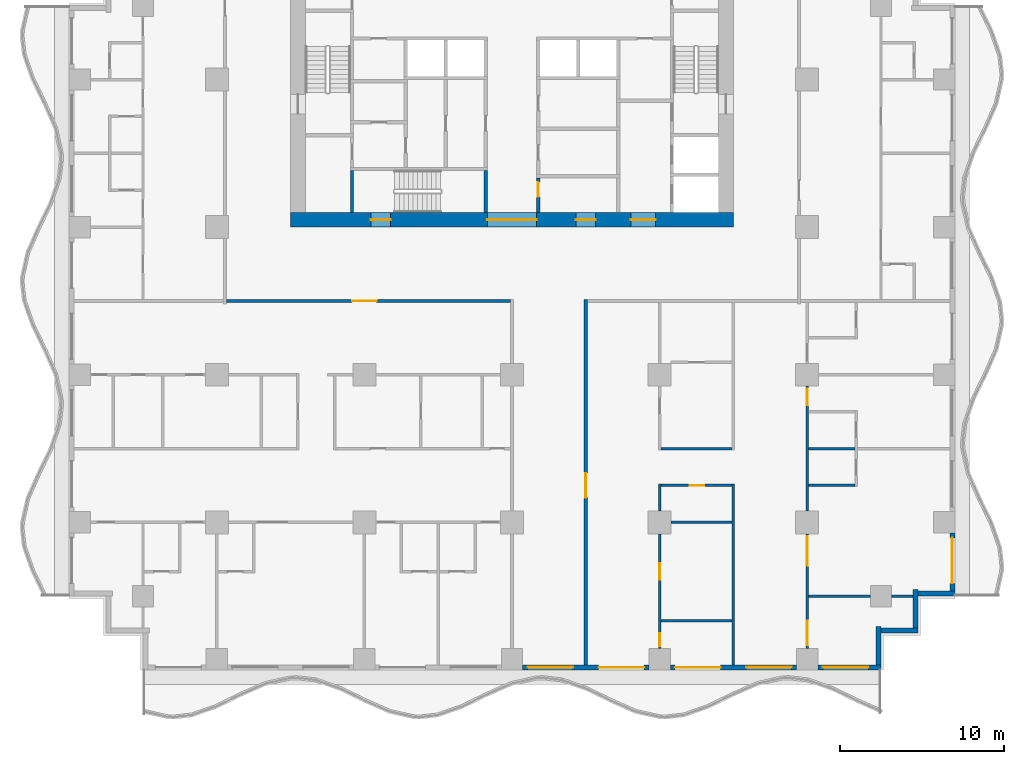
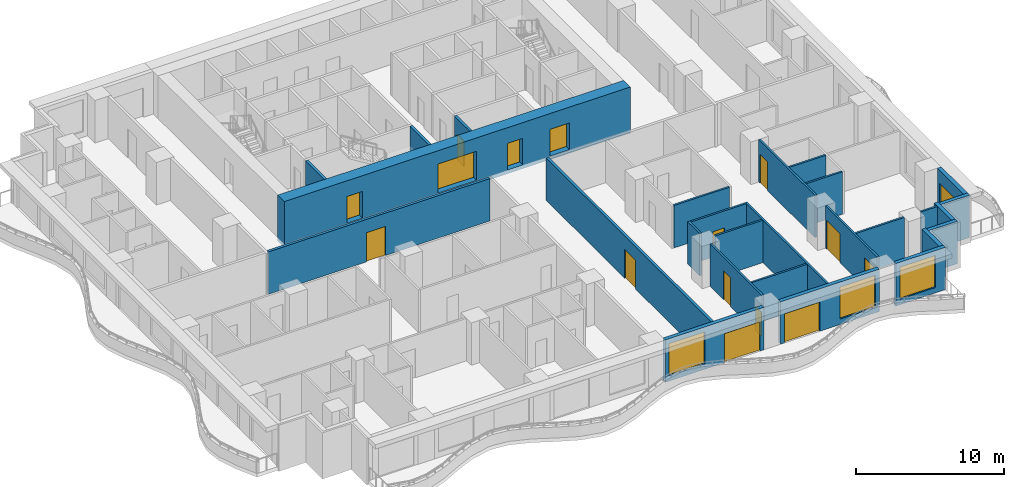
# One storey, part 3 of 14: 27 walls, 16 doors, 3 windows, 19 openings.
"""IFC4 building model written with IfcOpenShell, lengths in metres."""

from ifc_helpers import new_model, si_unit, direction, frame, frame_2d, origin, place, context, subcontext, project, spatial, rectangle, extrude, material, layer, layer_set, type_object, element, fill, save


model = new_model("IFC4")

# Units and contexts
model_context = context("Model", 3, precision=1e-05, world=origin(), true_north=direction((0.0, 1.0)))
body_context = subcontext(model_context, "Body", "Model", "MODEL_VIEW")
ifc_project = project(units=[si_unit("LENGTHUNIT", "METRE"), si_unit("AREAUNIT", "SQUARE_METRE"), si_unit("VOLUMEUNIT", "CUBIC_METRE"), si_unit("PLANEANGLEUNIT", "RADIAN"), si_unit("MASSUNIT", "GRAM", prefix="KILO")], contexts=[model_context])

# Site, building, storey
site_placement = place(None, origin())
site = spatial("IfcSite", under=ifc_project, at=site_placement, CompositionType="ELEMENT")
building_placement = place(site_placement, origin())
building = spatial("IfcBuilding", under=site, at=building_placement, Name="Orbiselva Terraces", CompositionType="ELEMENT")
storey_placement = place(building_placement, frame((0.0, 0.0, 80.8)))
storey = spatial("IfcBuildingStorey", under=building, at=storey_placement, Name="L20", CompositionType="ELEMENT", Elevation=80.8)

# Wall, openings, doors
ifc_material_1 = material(Name="Concrete C80/95", Category="concrete")
ifc_layer_1 = layer(ifc_material_1, 0.9)
ifc_layer_set_1 = layer_set([ifc_layer_1], Name="Concrete C80/95")
wall_type_1 = type_object("IfcWallType", Name="CORE WALL 900", PredefinedType="SHEAR", material=ifc_layer_set_1)
wall_1_placement = place(storey_placement, frame((-13.5, 4.95, -0.3), z_axis=(0.0, 0.0, 1.0), x_axis=(1.0, 0.0, 0.0)))
wall_1 = element("IfcWall", 1, at=wall_1_placement, inside=storey, type_object=wall_type_1, Name="Core wall L20 south", PredefinedType="SHEAR", context=body_context, shape_type="SweptSolid", body=[
    extrude(rectangle(XDim=27.0, YDim=0.9, at=frame_2d((13.5, 0.0))), origin(), (0.0, 0.0, 1.0), 3.8),
])
opening_1_placement = place(wall_1_placement, frame((12.0, 0.0, 0.3)))
opening_1 = element("IfcOpeningElement", 2, at=opening_1_placement, cuts=wall_1, Name="Opening DL3000", PredefinedType="OPENING", context=body_context, shape_type="SweptSolid", body=[
    extrude(rectangle(XDim=3.0, YDim=2.4, at=frame_2d((1.5, 1.2))), frame((0.0, 0.46, 0.0), z_axis=(0.0, -1.0, 0.0), x_axis=(1.0, 0.0, 0.0)), (0.0, 0.0, 1.0), 0.92),
])
opening_2_placement = place(wall_1_placement, frame((4.9, 0.0, 0.3)))
opening_2 = element("IfcOpeningElement", 3, at=opening_2_placement, cuts=wall_1, Name="Opening DS1200", PredefinedType="OPENING", context=body_context, shape_type="SweptSolid", body=[
    extrude(rectangle(XDim=1.2, YDim=2.2, at=frame_2d((0.6, 1.1))), frame((0.0, 0.46, 0.0), z_axis=(0.0, -1.0, 0.0), x_axis=(1.0, 0.0, 0.0)), (0.0, 0.0, 1.0), 0.92),
])
opening_3_placement = place(wall_1_placement, frame((20.75, 0.0, 0.3)))
opening_3 = element("IfcOpeningElement", 4, at=opening_3_placement, cuts=wall_1, Name="Opening DF1500", PredefinedType="OPENING", context=body_context, shape_type="SweptSolid", body=[
    extrude(rectangle(XDim=1.5, YDim=2.2, at=frame_2d((0.75, 1.1))), frame((0.0, 0.46, 0.0), z_axis=(0.0, -1.0, 0.0), x_axis=(1.0, 0.0, 0.0)), (0.0, 0.0, 1.0), 0.92),
])
opening_4_placement = place(wall_1_placement, frame((17.4, 0.0, 0.3)))
opening_4 = element("IfcOpeningElement", 5, at=opening_4_placement, cuts=wall_1, Name="Opening DV1200", PredefinedType="OPENING", context=body_context, shape_type="SweptSolid", body=[
    extrude(rectangle(XDim=1.2, YDim=2.2, at=frame_2d((0.6, 1.1))), frame((0.0, 0.46, 0.0), z_axis=(0.0, -1.0, 0.0), x_axis=(1.0, 0.0, 0.0)), (0.0, 0.0, 1.0), 0.92),
])
ifc_material_2 = material(Name="Steel fire door", Category="steel")
door_type_1 = type_object("IfcDoorType", Name="FFL DOOR 1500", OperationType="DOUBLE_DOOR_SINGLE_SWING", PredefinedType="DOOR", material=ifc_material_2)
door_1_placement = place(opening_3_placement, frame((1.5, 0.0, 0.0), z_axis=(0.0, 0.0, 1.0), x_axis=(-1.0, 0.0, 0.0)))
door_1 = element("IfcDoor", 6, at=door_1_placement, inside=storey, type_object=door_type_1, Name="L20 FIRE-FIGHTING LOBBY door", OperationType="DOUBLE_DOOR_SINGLE_SWING", OverallHeight=2.2, OverallWidth=1.5, PredefinedType="DOOR", context=body_context, shape_type="SweptSolid", body=[
    extrude(rectangle(XDim=1.5, YDim=2.2, at=frame_2d((0.75, 1.1))), frame((0.0, 0.025, 0.0), z_axis=(0.0, -1.0, 0.0), x_axis=(1.0, 0.0, 0.0)), (0.0, 0.0, 1.0), 0.05),
])
fill(opening_3, door_1)
door_type_2 = type_object("IfcDoorType", Name="LOBBY DOOR 3000", OperationType="DOUBLE_DOOR_SINGLE_SWING", PredefinedType="DOOR", material=ifc_material_2)
door_2_placement = place(opening_1_placement, frame((3.0, 0.0, 0.0), z_axis=(0.0, 0.0, 1.0), x_axis=(-1.0, 0.0, 0.0)))
door_2 = element("IfcDoor", 7, at=door_2_placement, inside=storey, type_object=door_type_2, Name="L20 LIFT LOBBY door", OperationType="DOUBLE_DOOR_SINGLE_SWING", OverallHeight=2.4, OverallWidth=3.0, PredefinedType="DOOR", context=body_context, shape_type="SweptSolid", body=[
    extrude(rectangle(XDim=3.0, YDim=2.4, at=frame_2d((1.5, 1.2))), frame((0.0, 0.025, 0.0), z_axis=(0.0, -1.0, 0.0), x_axis=(1.0, 0.0, 0.0)), (0.0, 0.0, 1.0), 0.05),
])
fill(opening_1, door_2)
door_type_3 = type_object("IfcDoorType", Name="SERVICE DOOR 1200", OperationType="NOTDEFINED", PredefinedType="DOOR", material=ifc_material_2)
door_3_placement = place(opening_4_placement, frame((1.2, 0.0, 0.0), z_axis=(0.0, 0.0, 1.0), x_axis=(-1.0, 0.0, 0.0)))
door_3 = element("IfcDoor", 8, at=door_3_placement, inside=storey, type_object=door_type_3, Name="L20 ELECTRICAL RISER ROOM door", OperationType="SINGLE_SWING_RIGHT", OverallHeight=2.2, OverallWidth=1.2, PredefinedType="DOOR", context=body_context, shape_type="SweptSolid", body=[
    extrude(rectangle(XDim=1.2, YDim=2.2, at=frame_2d((0.6, 1.1))), frame((0.0, 0.025, 0.0), z_axis=(0.0, -1.0, 0.0), x_axis=(1.0, 0.0, 0.0)), (0.0, 0.0, 1.0), 0.05),
])
fill(opening_4, door_3)
door_type_4 = type_object("IfcDoorType", Name="STAIR DOOR 1200", OperationType="NOTDEFINED", PredefinedType="DOOR", material=ifc_material_2)
door_4_placement = place(opening_2_placement, frame((1.2, 0.0, 0.0), z_axis=(0.0, 0.0, 1.0), x_axis=(-1.0, 0.0, 0.0)))
door_4 = element("IfcDoor", 9, at=door_4_placement, inside=storey, type_object=door_type_4, Name="L20 EXIT STAIR S3 door", OperationType="SINGLE_SWING_LEFT", OverallHeight=2.2, OverallWidth=1.2, PredefinedType="DOOR", context=body_context, shape_type="SweptSolid", body=[
    extrude(rectangle(XDim=1.2, YDim=2.2, at=frame_2d((0.6, 1.1))), frame((0.0, 0.025, 0.0), z_axis=(0.0, -1.0, 0.0), x_axis=(1.0, 0.0, 0.0)), (0.0, 0.0, 1.0), 0.05),
])
fill(opening_2, door_4)

# Wall, opening, door
ifc_material_3 = material(Name="Masonry blockwork", Category="masonry")
ifc_layer_2 = layer(ifc_material_3, 0.2)
ifc_layer_set_2 = layer_set([ifc_layer_2], Name="Masonry blockwork")
wall_type_2 = type_object("IfcWallType", Name="CORE-WALL-PARTITION-200", PredefinedType="PARTITIONING", material=ifc_layer_set_2)
wall_2_placement = place(storey_placement, frame((1.6, 7.5, 0.0), z_axis=(0.0, 0.0, 1.0), x_axis=(0.0, -1.0, 0.0)))
wall_2 = element("IfcWall", 10, at=wall_2_placement, inside=storey, type_object=wall_type_2, Name="L20 core wall 29", PredefinedType="PARTITIONING", context=body_context, shape_type="SweptSolid", body=[
    extrude(rectangle(XDim=2.1, YDim=0.2, at=frame_2d((1.05, 0.0))), origin(), (0.0, 0.0, 1.0), 3.5),
])
opening_5_placement = place(wall_2_placement, frame((0.25, 0.0, 0.0)))
opening_5 = element("IfcOpeningElement", 11, at=opening_5_placement, cuts=wall_2, Name="Opening DR900", PredefinedType="OPENING", context=body_context, shape_type="SweptSolid", body=[
    extrude(rectangle(XDim=0.9, YDim=2.1, at=frame_2d((0.45, 1.05))), frame((0.0, 0.11, 0.0), z_axis=(0.0, -1.0, 0.0), x_axis=(1.0, 0.0, 0.0)), (0.0, 0.0, 1.0), 0.22),
])
door_type_5 = type_object("IfcDoorType", Name="ROOM DOOR 900", OperationType="NOTDEFINED", PredefinedType="DOOR", material=ifc_material_2)
door_5_placement = place(opening_5_placement, origin())
door_5 = element("IfcDoor", 12, at=door_5_placement, inside=storey, type_object=door_type_5, Name="L20 ELECTRICAL RISER ROOM door", OperationType="SINGLE_SWING_LEFT", OverallHeight=2.1, OverallWidth=0.9, PredefinedType="DOOR", context=body_context, shape_type="SweptSolid", body=[
    extrude(rectangle(XDim=0.9, YDim=2.1, at=frame_2d((0.45, 1.05))), frame((0.0, 0.025, 0.0), z_axis=(0.0, -1.0, 0.0), x_axis=(1.0, 0.0, 0.0)), (0.0, 0.0, 1.0), 0.05),
])
fill(opening_5, door_5)

# Walls
ifc_material_4 = material(Name="Concrete C60/75", Category="concrete")
ifc_layer_3 = layer(ifc_material_4, 0.2)
ifc_layer_set_3 = layer_set([ifc_layer_3], Name="Concrete C60/75")
wall_type_3 = type_object("IfcWallType", Name="CORE-WALL-SHEAR-200", PredefinedType="SHEAR", material=ifc_layer_set_3)
for number, where, z_axis, x_axis, name in (
    (13, (-9.75, 5.4, 0.0), (0.0, 0.0, 1.0), (0.0, 1.0, 0.0), "L20 core wall 03"),
    (14, (-1.6, 5.4, 0.0), (0.0, 0.0, 1.0), (0.0, 1.0, 0.0), "L20 core wall 25"),
):
    element("IfcWall", number, at=place(storey_placement, frame(where, z_axis=z_axis, x_axis=x_axis)), inside=storey, type_object=wall_type_3, Name=name, PredefinedType="SHEAR", context=body_context, shape_type="SweptSolid", body=[
        extrude(rectangle(XDim=2.55, YDim=0.2, at=frame_2d((1.275, 0.0))), origin(), (0.0, 0.0, 1.0), 3.5),
    ])

# Wall, openings, door, window
ifc_material_5 = material(Name="Terracotta cladding on masonry backing", Category="masonry")
ifc_layer_4 = layer(ifc_material_5, 0.3)
ifc_layer_set_4 = layer_set([ifc_layer_4], Name="Terracotta cladding on masonry backing")
wall_type_4 = type_object("IfcWallType", Name="ENV-WALL-TERRACOTTA-300", PredefinedType="SOLIDWALL", material=ifc_layer_set_4)
wall_3_placement = place(storey_placement, frame((8.35, -22.35, 0.0), z_axis=(0.0, 0.0, 1.0), x_axis=(-1.0, 0.0, 0.0)))
wall_3 = element("IfcWall", 15, at=wall_3_placement, inside=storey, type_object=wall_type_4, Name="Facade wall L20 S", PredefinedType="SOLIDWALL", context=body_context, shape_type="SweptSolid", body=[
    extrude(rectangle(XDim=7.7, YDim=0.3, at=frame_2d((3.85, 0.0))), origin(), (0.0, 0.0, 1.0), 3.5),
])
opening_6_placement = place(wall_3_placement, frame((4.625, 0.0, 0.45)))
opening_6 = element("IfcOpeningElement", 16, at=opening_6_placement, cuts=wall_3, Name="Opening WN6", PredefinedType="OPENING", context=body_context, shape_type="SweptSolid", body=[
    extrude(rectangle(XDim=2.775, YDim=2.65, at=frame_2d((1.3875, 1.325))), frame((0.0, 0.16, 0.0), z_axis=(0.0, -1.0, 0.0), x_axis=(1.0, 0.0, 0.0)), (0.0, 0.0, 1.0), 0.32),
])
opening_7_placement = place(wall_3_placement, frame((0.3, 0.0, 0.0)))
opening_7 = element("IfcOpeningElement", 17, at=opening_7_placement, cuts=wall_3, Name="Opening Z2-B-E03", PredefinedType="OPENING", context=body_context, shape_type="SweptSolid", body=[
    extrude(rectangle(XDim=2.775, YDim=2.4, at=frame_2d((1.3875, 1.2))), frame((0.0, 0.16, 0.0), z_axis=(0.0, -1.0, 0.0), x_axis=(1.0, 0.0, 0.0)), (0.0, 0.0, 1.0), 0.32),
])
ifc_material_6 = material(Name="Clear low-e glazing in aluminium frame", Category="aluminium")
door_type_6 = type_object("IfcDoorType", Name="BALCONY DOOR 2775 X 2400", OperationType="DOUBLE_DOOR_SLIDING", PredefinedType="DOOR", material=ifc_material_6)
door_6_placement = place(opening_7_placement, origin())
door_6 = element("IfcDoor", 18, at=door_6_placement, inside=storey, type_object=door_type_6, Name="Z2-B-E03", OperationType="SINGLE_SWING_LEFT", OverallHeight=2.4, OverallWidth=2.775, PredefinedType="DOOR", context=body_context, shape_type="SweptSolid", body=[
    extrude(rectangle(XDim=2.775, YDim=2.4, at=frame_2d((1.3875, 1.2))), frame((0.0, 0.025, 0.0), z_axis=(0.0, -1.0, 0.0), x_axis=(1.0, 0.0, 0.0)), (0.0, 0.0, 1.0), 0.05),
])
fill(opening_7, door_6)
window_type = type_object("IfcWindowType", Name="WINDOW 2775 X 2650 S450", PartitioningType="TRIPLE_PANEL_VERTICAL", PredefinedType="WINDOW", material=ifc_material_6)
window_1_placement = place(opening_6_placement, origin())
window_1 = element("IfcWindow", 19, at=window_1_placement, inside=storey, type_object=window_type, Name="Window L20 S", OverallHeight=2.65, OverallWidth=2.775, PartitioningType="SINGLE_PANEL", PredefinedType="WINDOW", context=body_context, shape_type="SweptSolid", body=[
    extrude(rectangle(XDim=2.775, YDim=2.65, at=frame_2d((1.3875, 1.325))), frame((0.0, 0.03, 0.0), z_axis=(0.0, -1.0, 0.0), x_axis=(1.0, 0.0, 0.0)), (0.0, 0.0, 1.0), 0.06),
])
fill(opening_6, window_1)

wall_4_placement = place(storey_placement, frame((17.35, -22.35, 0.0), z_axis=(0.0, 0.0, 1.0), x_axis=(-1.0, 0.0, 0.0)))
wall_4 = element("IfcWall", 20, at=wall_4_placement, inside=storey, type_object=wall_type_4, Name="Facade wall L20 S", PredefinedType="SOLIDWALL", context=body_context, shape_type="SweptSolid", body=[
    extrude(rectangle(XDim=7.7, YDim=0.3, at=frame_2d((3.85, 0.0))), origin(), (0.0, 0.0, 1.0), 3.5),
])
opening_8_placement = place(wall_4_placement, frame((4.625, 0.0, 0.0)))
opening_8 = element("IfcOpeningElement", 21, at=opening_8_placement, cuts=wall_4, Name="Opening Z2-B-E04", PredefinedType="OPENING", context=body_context, shape_type="SweptSolid", body=[
    extrude(rectangle(XDim=2.775, YDim=2.4, at=frame_2d((1.3875, 1.2))), frame((0.0, 0.16, 0.0), z_axis=(0.0, -1.0, 0.0), x_axis=(1.0, 0.0, 0.0)), (0.0, 0.0, 1.0), 0.32),
])
opening_9_placement = place(wall_4_placement, frame((0.3, 0.0, 0.45)))
opening_9 = element("IfcOpeningElement", 22, at=opening_9_placement, cuts=wall_4, Name="Opening WN6", PredefinedType="OPENING", context=body_context, shape_type="SweptSolid", body=[
    extrude(rectangle(XDim=2.775, YDim=2.65, at=frame_2d((1.3875, 1.325))), frame((0.0, 0.16, 0.0), z_axis=(0.0, -1.0, 0.0), x_axis=(1.0, 0.0, 0.0)), (0.0, 0.0, 1.0), 0.32),
])
door_7_placement = place(opening_8_placement, origin())
door_7 = element("IfcDoor", 23, at=door_7_placement, inside=storey, type_object=door_type_6, Name="Z2-B-E04", OperationType="SINGLE_SWING_LEFT", OverallHeight=2.4, OverallWidth=2.775, PredefinedType="DOOR", context=body_context, shape_type="SweptSolid", body=[
    extrude(rectangle(XDim=2.775, YDim=2.4, at=frame_2d((1.3875, 1.2))), frame((0.0, 0.025, 0.0), z_axis=(0.0, -1.0, 0.0), x_axis=(1.0, 0.0, 0.0)), (0.0, 0.0, 1.0), 0.05),
])
fill(opening_8, door_7)
window_2_placement = place(opening_9_placement, origin())
window_2 = element("IfcWindow", 24, at=window_2_placement, inside=storey, type_object=window_type, Name="Window L20 S", OverallHeight=2.65, OverallWidth=2.775, PartitioningType="SINGLE_PANEL", PredefinedType="WINDOW", context=body_context, shape_type="SweptSolid", body=[
    extrude(rectangle(XDim=2.775, YDim=2.65, at=frame_2d((1.3875, 1.325))), frame((0.0, 0.03, 0.0), z_axis=(0.0, -1.0, 0.0), x_axis=(1.0, 0.0, 0.0)), (0.0, 0.0, 1.0), 0.06),
])
fill(opening_9, window_2)

# Wall, opening, window
wall_5_placement = place(storey_placement, frame((22.5, -22.35, 0.0), z_axis=(0.0, 0.0, 1.0), x_axis=(-1.0, 0.0, 0.0)))
wall_5 = element("IfcWall", 25, at=wall_5_placement, inside=storey, type_object=wall_type_4, Name="Facade wall L20 S", PredefinedType="SOLIDWALL", context=body_context, shape_type="SweptSolid", body=[
    extrude(rectangle(XDim=3.85, YDim=0.3, at=frame_2d((1.925, 0.0))), origin(), (0.0, 0.0, 1.0), 3.5),
])
opening_10_placement = place(wall_5_placement, frame((0.775, 0.0, 0.45)))
opening_10 = element("IfcOpeningElement", 26, at=opening_10_placement, cuts=wall_5, Name="Opening WN6", PredefinedType="OPENING", context=body_context, shape_type="SweptSolid", body=[
    extrude(rectangle(XDim=2.775, YDim=2.65, at=frame_2d((1.3875, 1.325))), frame((0.0, 0.16, 0.0), z_axis=(0.0, -1.0, 0.0), x_axis=(1.0, 0.0, 0.0)), (0.0, 0.0, 1.0), 0.32),
])
window_3_placement = place(opening_10_placement, origin())
window_3 = element("IfcWindow", 27, at=window_3_placement, inside=storey, type_object=window_type, Name="Window L20 S", OverallHeight=2.65, OverallWidth=2.775, PartitioningType="SINGLE_PANEL", PredefinedType="WINDOW", context=body_context, shape_type="SweptSolid", body=[
    extrude(rectangle(XDim=2.775, YDim=2.65, at=frame_2d((1.3875, 1.325))), frame((0.0, 0.03, 0.0), z_axis=(0.0, -1.0, 0.0), x_axis=(1.0, 0.0, 0.0)), (0.0, 0.0, 1.0), 0.06),
])
fill(opening_10, window_3)

# Walls
wall_6_placement = place(storey_placement, frame((22.35, -19.85, 0.0), z_axis=(0.0, 0.0, 1.0), x_axis=(0.0, -1.0, 0.0)))
element("IfcWall", 28, at=wall_6_placement, inside=storey, type_object=wall_type_4, Name="Facade wall L20 STEP", PredefinedType="SOLIDWALL", context=body_context, shape_type="SweptSolid", body=[
    extrude(rectangle(XDim=2.35, YDim=0.3, at=frame_2d((1.175, 0.0))), origin(), (0.0, 0.0, 1.0), 3.5),
])
wall_7_placement = place(storey_placement, frame((24.75, -20.1, 0.0), z_axis=(0.0, 0.0, 1.0), x_axis=(-1.0, 0.0, 0.0)))
element("IfcWall", 29, at=wall_7_placement, inside=storey, type_object=wall_type_4, Name="Facade wall L20 STEP", PredefinedType="SOLIDWALL", context=body_context, shape_type="SweptSolid", body=[
    extrude(rectangle(XDim=2.25, YDim=0.3, at=frame_2d((1.125, 0.0))), origin(), (0.0, 0.0, 1.0), 3.5),
])
wall_8_placement = place(storey_placement, frame((24.6, -17.6, 0.0), z_axis=(0.0, 0.0, 1.0), x_axis=(0.0, -1.0, 0.0)))
element("IfcWall", 30, at=wall_8_placement, inside=storey, type_object=wall_type_4, Name="Facade wall L20 STEP", PredefinedType="SOLIDWALL", context=body_context, shape_type="SweptSolid", body=[
    extrude(rectangle(XDim=2.35, YDim=0.3, at=frame_2d((1.175, 0.0))), origin(), (0.0, 0.0, 1.0), 3.5),
])
wall_9_placement = place(storey_placement, frame((27.0, -17.85, 0.0), z_axis=(0.0, 0.0, 1.0), x_axis=(-1.0, 0.0, 0.0)))
element("IfcWall", 31, at=wall_9_placement, inside=storey, type_object=wall_type_4, Name="Facade wall L20 STEP", PredefinedType="SOLIDWALL", context=body_context, shape_type="SweptSolid", body=[
    extrude(rectangle(XDim=2.25, YDim=0.3, at=frame_2d((1.125, 0.0))), origin(), (0.0, 0.0, 1.0), 3.5),
])

# Wall, opening, door
wall_10_placement = place(storey_placement, frame((26.85, -14.15, 0.0), z_axis=(0.0, 0.0, 1.0), x_axis=(0.0, -1.0, 0.0)))
wall_10 = element("IfcWall", 32, at=wall_10_placement, inside=storey, type_object=wall_type_4, Name="Facade wall L20 E", PredefinedType="SOLIDWALL", context=body_context, shape_type="SweptSolid", body=[
    extrude(rectangle(XDim=3.55, YDim=0.3, at=frame_2d((1.775, 0.0))), origin(), (0.0, 0.0, 1.0), 3.5),
])
opening_11_placement = place(wall_10_placement, frame((0.3, 0.0, 0.0)))
opening_11 = element("IfcOpeningElement", 33, at=opening_11_placement, cuts=wall_10, Name="Opening Z2-B-E05", PredefinedType="OPENING", context=body_context, shape_type="SweptSolid", body=[
    extrude(rectangle(XDim=2.775, YDim=2.4, at=frame_2d((1.3875, 1.2))), frame((0.0, 0.16, 0.0), z_axis=(0.0, -1.0, 0.0), x_axis=(1.0, 0.0, 0.0)), (0.0, 0.0, 1.0), 0.32),
])
door_8_placement = place(opening_11_placement, origin())
door_8 = element("IfcDoor", 34, at=door_8_placement, inside=storey, type_object=door_type_6, Name="Z2-B-E05", OperationType="SINGLE_SWING_LEFT", OverallHeight=2.4, OverallWidth=2.775, PredefinedType="DOOR", context=body_context, shape_type="SweptSolid", body=[
    extrude(rectangle(XDim=2.775, YDim=2.4, at=frame_2d((1.3875, 1.2))), frame((0.0, 0.025, 0.0), z_axis=(0.0, -1.0, 0.0), x_axis=(1.0, 0.0, 0.0)), (0.0, 0.0, 1.0), 0.05),
])
fill(opening_11, door_8)

ifc_material_7 = material(Name="Plasterboard on steel stud partition", Category="steel")
ifc_layer_5 = layer(ifc_material_7, 0.2)
ifc_layer_set_5 = layer_set([ifc_layer_5], Name="Plasterboard on steel stud partition")
wall_type_5 = type_object("IfcWallType", Name="UNIT-ENTRANCE-WALL-200", PredefinedType="PARTITIONING", material=ifc_layer_set_5)
wall_11_placement = place(storey_placement, frame((-0.1, 0.0, 0.0), z_axis=(0.0, 0.0, 1.0), x_axis=(-1.0, 0.0, 0.0)))
wall_11 = element("IfcWall", 35, at=wall_11_placement, inside=storey, type_object=wall_type_5, Name="PARTITION L20-027", PredefinedType="PARTITIONING", context=body_context, shape_type="SweptSolid", body=[
    extrude(rectangle(XDim=17.3, YDim=0.2, at=frame_2d((8.65, 0.0))), origin(), (0.0, 0.0, 1.0), 3.5),
])
opening_12_placement = place(wall_11_placement, frame((8.15, 0.0, 0.0)))
opening_12 = element("IfcOpeningElement", 36, at=opening_12_placement, cuts=wall_11, Name="Opening Z2-B-15", PredefinedType="OPENING", context=body_context, shape_type="SweptSolid", body=[
    extrude(rectangle(XDim=1.5, YDim=2.4, at=frame_2d((0.75, 1.2))), frame((0.0, 0.11, 0.0), z_axis=(0.0, -1.0, 0.0), x_axis=(1.0, 0.0, 0.0)), (0.0, 0.0, 1.0), 0.22),
])
ifc_material_8 = material(Name="Painted timber door leaf", Category="wood")
door_type_7 = type_object("IfcDoorType", Name="ENTRANCE DOUBLE DOOR 1500", OperationType="NOTDEFINED", PredefinedType="DOOR", material=ifc_material_8)
door_9_placement = place(opening_12_placement, origin())
door_9 = element("IfcDoor", 37, at=door_9_placement, inside=storey, type_object=door_type_7, Name="Z2-B-15", OperationType="DOUBLE_DOOR_SINGLE_SWING", OverallHeight=2.4, OverallWidth=1.5, PredefinedType="DOOR", context=body_context, shape_type="SweptSolid", body=[
    extrude(rectangle(XDim=1.5, YDim=2.4, at=frame_2d((0.75, 1.2))), frame((0.0, 0.025, 0.0), z_axis=(0.0, -1.0, 0.0), x_axis=(1.0, 0.0, 0.0)), (0.0, 0.0, 1.0), 0.05),
])
fill(opening_12, door_9)

wall_12_placement = place(storey_placement, frame((4.5, 0.1, 0.0), z_axis=(0.0, 0.0, 1.0), x_axis=(0.0, -1.0, 0.0)))
wall_12 = element("IfcWall", 38, at=wall_12_placement, inside=storey, type_object=wall_type_5, Name="PARTITION L20-068", PredefinedType="PARTITIONING", context=body_context, shape_type="SweptSolid", body=[
    extrude(rectangle(XDim=22.3, YDim=0.2, at=frame_2d((11.15, 0.0))), origin(), (0.0, 0.0, 1.0), 3.5),
])
opening_13_placement = place(wall_12_placement, frame((10.6, 0.0, 0.0)))
opening_13 = element("IfcOpeningElement", 39, at=opening_13_placement, cuts=wall_12, Name="Opening Z2-B-32", PredefinedType="OPENING", context=body_context, shape_type="SweptSolid", body=[
    extrude(rectangle(XDim=1.5, YDim=2.4, at=frame_2d((0.75, 1.2))), frame((0.0, 0.11, 0.0), z_axis=(0.0, -1.0, 0.0), x_axis=(1.0, 0.0, 0.0)), (0.0, 0.0, 1.0), 0.22),
])
door_10_placement = place(opening_13_placement, origin())
door_10 = element("IfcDoor", 40, at=door_10_placement, inside=storey, type_object=door_type_7, Name="Z2-B-32", OperationType="DOUBLE_DOOR_SINGLE_SWING", OverallHeight=2.4, OverallWidth=1.5, PredefinedType="DOOR", context=body_context, shape_type="SweptSolid", body=[
    extrude(rectangle(XDim=1.5, YDim=2.4, at=frame_2d((0.75, 1.2))), frame((0.0, 0.025, 0.0), z_axis=(0.0, -1.0, 0.0), x_axis=(1.0, 0.0, 0.0)), (0.0, 0.0, 1.0), 0.05),
])
fill(opening_13, door_10)

# Walls
ifc_layer_6 = layer(ifc_material_7, 0.15)
ifc_layer_set_6 = layer_set([ifc_layer_6], Name="Plasterboard on steel stud partition")
wall_type_6 = type_object("IfcWallType", Name="UNIT-PARTITION-150", PredefinedType="PARTITIONING", material=ifc_layer_set_6)
wall_13_placement = place(storey_placement, frame((9.075, -19.5, 0.0), z_axis=(0.0, 0.0, 1.0), x_axis=(1.0, 0.0, 0.0)))
element("IfcWall", 41, at=wall_13_placement, inside=storey, type_object=wall_type_6, Name="PARTITION L20-001", PredefinedType="PARTITIONING", context=body_context, shape_type="SweptSolid", body=[
    extrude(rectangle(XDim=4.35, YDim=0.15, at=frame_2d((2.175, 0.0))), origin(), (0.0, 0.0, 1.0), 3.5),
])
wall_14_placement = place(storey_placement, frame((18.075, -18.0, 0.0), z_axis=(0.0, 0.0, 1.0), x_axis=(1.0, 0.0, 0.0)))
element("IfcWall", 42, at=wall_14_placement, inside=storey, type_object=wall_type_6, Name="PARTITION L20-002", PredefinedType="PARTITIONING", context=body_context, shape_type="SweptSolid", body=[
    extrude(rectangle(XDim=3.775, YDim=0.15, at=frame_2d((1.8875, 0.0))), origin(), (0.0, 0.0, 1.0), 3.5),
])
wall_15_placement = place(storey_placement, frame((23.15, -18.0, 0.0), z_axis=(0.0, 0.0, 1.0), x_axis=(1.0, 0.0, 0.0)))
element("IfcWall", 43, at=wall_15_placement, inside=storey, type_object=wall_type_6, Name="PARTITION L20-003", PredefinedType="PARTITIONING", context=body_context, shape_type="SweptSolid", body=[
    extrude(rectangle(XDim=1.3, YDim=0.15, at=frame_2d((0.65, 0.0))), origin(), (0.0, 0.0, 1.0), 3.5),
])
wall_16_placement = place(storey_placement, frame((9.7, -13.5, 0.0), z_axis=(0.0, 0.0, 1.0), x_axis=(1.0, 0.0, 0.0)))
element("IfcWall", 44, at=wall_16_placement, inside=storey, type_object=wall_type_6, Name="PARTITION L20-011", PredefinedType="PARTITIONING", context=body_context, shape_type="SweptSolid", body=[
    extrude(rectangle(XDim=3.725, YDim=0.15, at=frame_2d((1.8625, 0.0))), origin(), (0.0, 0.0, 1.0), 3.5),
])

# Wall, opening, door
wall_17_placement = place(storey_placement, frame((13.425, -11.25, 0.0), z_axis=(0.0, 0.0, 1.0), x_axis=(-1.0, 0.0, 0.0)))
wall_17 = element("IfcWall", 45, at=wall_17_placement, inside=storey, type_object=wall_type_6, Name="PARTITION L20-012", PredefinedType="PARTITIONING", context=body_context, shape_type="SweptSolid", body=[
    extrude(rectangle(XDim=4.35, YDim=0.15, at=frame_2d((2.175, 0.0))), origin(), (0.0, 0.0, 1.0), 3.5),
])
opening_14_placement = place(wall_17_placement, frame((1.7, 0.0, 0.0)))
opening_14 = element("IfcOpeningElement", 46, at=opening_14_placement, cuts=wall_17, Name="Opening Z2-B-35", PredefinedType="OPENING", context=body_context, shape_type="SweptSolid", body=[
    extrude(rectangle(XDim=0.9, YDim=2.1, at=frame_2d((0.45, 1.05))), frame((0.0, 0.085, 0.0), z_axis=(0.0, -1.0, 0.0), x_axis=(1.0, 0.0, 0.0)), (0.0, 0.0, 1.0), 0.17),
])
door_type_8 = type_object("IfcDoorType", Name="BATH DOOR 900", OperationType="NOTDEFINED", PredefinedType="DOOR", material=ifc_material_8)
door_11_placement = place(opening_14_placement, origin())
door_11 = element("IfcDoor", 47, at=door_11_placement, inside=storey, type_object=door_type_8, Name="Z2-B-35", OperationType="SINGLE_SWING_LEFT", OverallHeight=2.1, OverallWidth=0.9, PredefinedType="DOOR", context=body_context, shape_type="SweptSolid", body=[
    extrude(rectangle(XDim=0.9, YDim=2.1, at=frame_2d((0.45, 1.05))), frame((0.0, 0.025, 0.0), z_axis=(0.0, -1.0, 0.0), x_axis=(1.0, 0.0, 0.0)), (0.0, 0.0, 1.0), 0.05),
])
fill(opening_14, door_11)

# Walls
wall_18_placement = place(storey_placement, frame((18.075, -11.25, 0.0), z_axis=(0.0, 0.0, 1.0), x_axis=(1.0, 0.0, 0.0)))
element("IfcWall", 48, at=wall_18_placement, inside=storey, type_object=wall_type_6, Name="PARTITION L20-013", PredefinedType="PARTITIONING", context=body_context, shape_type="SweptSolid", body=[
    extrude(rectangle(XDim=2.85, YDim=0.15, at=frame_2d((1.425, 0.0))), origin(), (0.0, 0.0, 1.0), 3.5),
])
wall_19_placement = place(storey_placement, frame((9.075, -9.0, 0.0), z_axis=(0.0, 0.0, 1.0), x_axis=(1.0, 0.0, 0.0)))
element("IfcWall", 49, at=wall_19_placement, inside=storey, type_object=wall_type_6, Name="PARTITION L20-016", PredefinedType="PARTITIONING", context=body_context, shape_type="SweptSolid", body=[
    extrude(rectangle(XDim=4.35, YDim=0.15, at=frame_2d((2.175, 0.0))), origin(), (0.0, 0.0, 1.0), 3.5),
])
wall_20_placement = place(storey_placement, frame((18.075, -9.0, 0.0), z_axis=(0.0, 0.0, 1.0), x_axis=(1.0, 0.0, 0.0)))
element("IfcWall", 50, at=wall_20_placement, inside=storey, type_object=wall_type_6, Name="PARTITION L20-017", PredefinedType="PARTITIONING", context=body_context, shape_type="SweptSolid", body=[
    extrude(rectangle(XDim=2.85, YDim=0.15, at=frame_2d((1.425, 0.0))), origin(), (0.0, 0.0, 1.0), 3.5),
])

# Wall, openings, doors
wall_21_placement = place(storey_placement, frame((9.0, -14.2, 0.0), z_axis=(0.0, 0.0, 1.0), x_axis=(0.0, -1.0, 0.0)))
wall_21 = element("IfcWall", 51, at=wall_21_placement, inside=storey, type_object=wall_type_6, Name="PARTITION L20-069", PredefinedType="PARTITIONING", context=body_context, shape_type="SweptSolid", body=[
    extrude(rectangle(XDim=7.0, YDim=0.15, at=frame_2d((3.5, 0.0))), origin(), (0.0, 0.0, 1.0), 3.5),
])
opening_15_placement = place(wall_21_placement, frame((6.05, 0.0, 0.0)))
opening_15 = element("IfcOpeningElement", 52, at=opening_15_placement, cuts=wall_21, Name="Opening Z2-B-33", PredefinedType="OPENING", context=body_context, shape_type="SweptSolid", body=[
    extrude(rectangle(XDim=0.8, YDim=2.0, at=frame_2d((0.4, 1.0))), frame((0.0, 0.085, 0.0), z_axis=(0.0, -1.0, 0.0), x_axis=(1.0, 0.0, 0.0)), (0.0, 0.0, 1.0), 0.17),
])
opening_16_placement = place(wall_21_placement, frame((1.8, 0.0, 0.0)))
opening_16 = element("IfcOpeningElement", 53, at=opening_16_placement, cuts=wall_21, Name="Opening Z2-B-34", PredefinedType="OPENING", context=body_context, shape_type="SweptSolid", body=[
    extrude(rectangle(XDim=1.0, YDim=2.4, at=frame_2d((0.5, 1.2))), frame((0.0, 0.085, 0.0), z_axis=(0.0, -1.0, 0.0), x_axis=(1.0, 0.0, 0.0)), (0.0, 0.0, 1.0), 0.17),
])
door_type_9 = type_object("IfcDoorType", Name="ROOM DOOR 1000", OperationType="NOTDEFINED", PredefinedType="DOOR", material=ifc_material_8)
door_12_placement = place(opening_16_placement, origin())
door_12 = element("IfcDoor", 54, at=door_12_placement, inside=storey, type_object=door_type_9, Name="Z2-B-34", OperationType="SINGLE_SWING_LEFT", OverallHeight=2.4, OverallWidth=1.0, PredefinedType="DOOR", context=body_context, shape_type="SweptSolid", body=[
    extrude(rectangle(XDim=1.0, YDim=2.4, at=frame_2d((0.5, 1.2))), frame((0.0, 0.025, 0.0), z_axis=(0.0, -1.0, 0.0), x_axis=(1.0, 0.0, 0.0)), (0.0, 0.0, 1.0), 0.05),
])
fill(opening_16, door_12)
door_type_10 = type_object("IfcDoorType", Name="STORE DOOR 800", OperationType="NOTDEFINED", PredefinedType="DOOR", material=ifc_material_8)
door_13_placement = place(opening_15_placement, origin())
door_13 = element("IfcDoor", 55, at=door_13_placement, inside=storey, type_object=door_type_10, Name="Z2-B-33", OperationType="SINGLE_SWING_RIGHT", OverallHeight=2.0, OverallWidth=0.8, PredefinedType="DOOR", context=body_context, shape_type="SweptSolid", body=[
    extrude(rectangle(XDim=0.8, YDim=2.0, at=frame_2d((0.4, 1.0))), frame((0.0, 0.025, 0.0), z_axis=(0.0, -1.0, 0.0), x_axis=(1.0, 0.0, 0.0)), (0.0, 0.0, 1.0), 0.05),
])
fill(opening_15, door_13)

# Walls
wall_22_placement = place(storey_placement, frame((9.0, -12.8, 0.0), z_axis=(0.0, 0.0, 1.0), x_axis=(0.0, 1.0, 0.0)))
element("IfcWall", 56, at=wall_22_placement, inside=storey, type_object=wall_type_6, Name="PARTITION L20-070", PredefinedType="PARTITIONING", context=body_context, shape_type="SweptSolid", body=[
    extrude(rectangle(XDim=1.625, YDim=0.15, at=frame_2d((0.8125, 0.0))), origin(), (0.0, 0.0, 1.0), 3.5),
])
wall_23_placement = place(storey_placement, frame((13.5, -22.2, 0.0), z_axis=(0.0, 0.0, 1.0), x_axis=(0.0, 1.0, 0.0)))
element("IfcWall", 57, at=wall_23_placement, inside=storey, type_object=wall_type_6, Name="PARTITION L20-073", PredefinedType="PARTITIONING", context=body_context, shape_type="SweptSolid", body=[
    extrude(rectangle(XDim=11.025, YDim=0.15, at=frame_2d((5.5125, 0.0))), origin(), (0.0, 0.0, 1.0), 3.5),
])

# Wall, openings, doors
wall_24_placement = place(storey_placement, frame((18.0, -14.2, 0.0), z_axis=(0.0, 0.0, 1.0), x_axis=(0.0, -1.0, 0.0)))
wall_24 = element("IfcWall", 58, at=wall_24_placement, inside=storey, type_object=wall_type_6, Name="PARTITION L20-078", PredefinedType="PARTITIONING", context=body_context, shape_type="SweptSolid", body=[
    extrude(rectangle(XDim=7.0, YDim=0.15, at=frame_2d((3.5, 0.0))), origin(), (0.0, 0.0, 1.0), 3.5),
])
opening_17_placement = place(wall_24_placement, frame((5.3, 0.0, 0.0)))
opening_17 = element("IfcOpeningElement", 59, at=opening_17_placement, cuts=wall_24, Name="Opening Z2-B-38", PredefinedType="OPENING", context=body_context, shape_type="SweptSolid", body=[
    extrude(rectangle(XDim=1.5, YDim=2.4, at=frame_2d((0.75, 1.2))), frame((0.0, 0.085, 0.0), z_axis=(0.0, -1.0, 0.0), x_axis=(1.0, 0.0, 0.0)), (0.0, 0.0, 1.0), 0.17),
])
opening_18_placement = place(wall_24_placement, frame((0.15, 0.0, 0.0)))
opening_18 = element("IfcOpeningElement", 60, at=opening_18_placement, cuts=wall_24, Name="Opening Z2-B-39", PredefinedType="OPENING", context=body_context, shape_type="SweptSolid", body=[
    extrude(rectangle(XDim=1.8, YDim=2.4, at=frame_2d((0.9, 1.2))), frame((0.0, 0.085, 0.0), z_axis=(0.0, -1.0, 0.0), x_axis=(1.0, 0.0, 0.0)), (0.0, 0.0, 1.0), 0.17),
])
door_type_11 = type_object("IfcDoorType", Name="DOUBLE DOOR 1500", OperationType="NOTDEFINED", PredefinedType="DOOR", material=ifc_material_8)
door_14_placement = place(opening_17_placement, origin())
door_14 = element("IfcDoor", 61, at=door_14_placement, inside=storey, type_object=door_type_11, Name="Z2-B-38", OperationType="DOUBLE_DOOR_SINGLE_SWING", OverallHeight=2.4, OverallWidth=1.5, PredefinedType="DOOR", context=body_context, shape_type="SweptSolid", body=[
    extrude(rectangle(XDim=1.5, YDim=2.4, at=frame_2d((0.75, 1.2))), frame((0.0, 0.025, 0.0), z_axis=(0.0, -1.0, 0.0), x_axis=(1.0, 0.0, 0.0)), (0.0, 0.0, 1.0), 0.05),
])
fill(opening_17, door_14)
door_type_12 = type_object("IfcDoorType", Name="DOUBLE DOOR 1800", OperationType="NOTDEFINED", PredefinedType="DOOR", material=ifc_material_8)
door_15_placement = place(opening_18_placement, origin())
door_15 = element("IfcDoor", 62, at=door_15_placement, inside=storey, type_object=door_type_12, Name="Z2-B-39", OperationType="DOUBLE_DOOR_SINGLE_SWING", OverallHeight=2.4, OverallWidth=1.8, PredefinedType="DOOR", context=body_context, shape_type="SweptSolid", body=[
    extrude(rectangle(XDim=1.8, YDim=2.4, at=frame_2d((0.9, 1.2))), frame((0.0, 0.025, 0.0), z_axis=(0.0, -1.0, 0.0), x_axis=(1.0, 0.0, 0.0)), (0.0, 0.0, 1.0), 0.05),
])
fill(opening_18, door_15)

# Wall, opening, door
wall_25_placement = place(storey_placement, frame((18.0, -5.2, 0.0), z_axis=(0.0, 0.0, 1.0), x_axis=(0.0, -1.0, 0.0)))
wall_25 = element("IfcWall", 63, at=wall_25_placement, inside=storey, type_object=wall_type_6, Name="PARTITION L20-079", PredefinedType="PARTITIONING", context=body_context, shape_type="SweptSolid", body=[
    extrude(rectangle(XDim=7.6, YDim=0.15, at=frame_2d((3.8, 0.0))), origin(), (0.0, 0.0, 1.0), 3.5),
])
opening_19_placement = place(wall_25_placement, frame((0.15, 0.0, 0.0)))
opening_19 = element("IfcOpeningElement", 64, at=opening_19_placement, cuts=wall_25, Name="Opening Z2-B-41", PredefinedType="OPENING", context=body_context, shape_type="SweptSolid", body=[
    extrude(rectangle(XDim=1.0, YDim=2.4, at=frame_2d((0.5, 1.2))), frame((0.0, 0.085, 0.0), z_axis=(0.0, -1.0, 0.0), x_axis=(1.0, 0.0, 0.0)), (0.0, 0.0, 1.0), 0.17),
])
door_16_placement = place(opening_19_placement, origin())
door_16 = element("IfcDoor", 65, at=door_16_placement, inside=storey, type_object=door_type_9, Name="Z2-B-41", OperationType="SINGLE_SWING_LEFT", OverallHeight=2.4, OverallWidth=1.0, PredefinedType="DOOR", context=body_context, shape_type="SweptSolid", body=[
    extrude(rectangle(XDim=1.0, YDim=2.4, at=frame_2d((0.5, 1.2))), frame((0.0, 0.025, 0.0), z_axis=(0.0, -1.0, 0.0), x_axis=(1.0, 0.0, 0.0)), (0.0, 0.0, 1.0), 0.05),
])
fill(opening_19, door_16)

save(model, "model.ifc")
